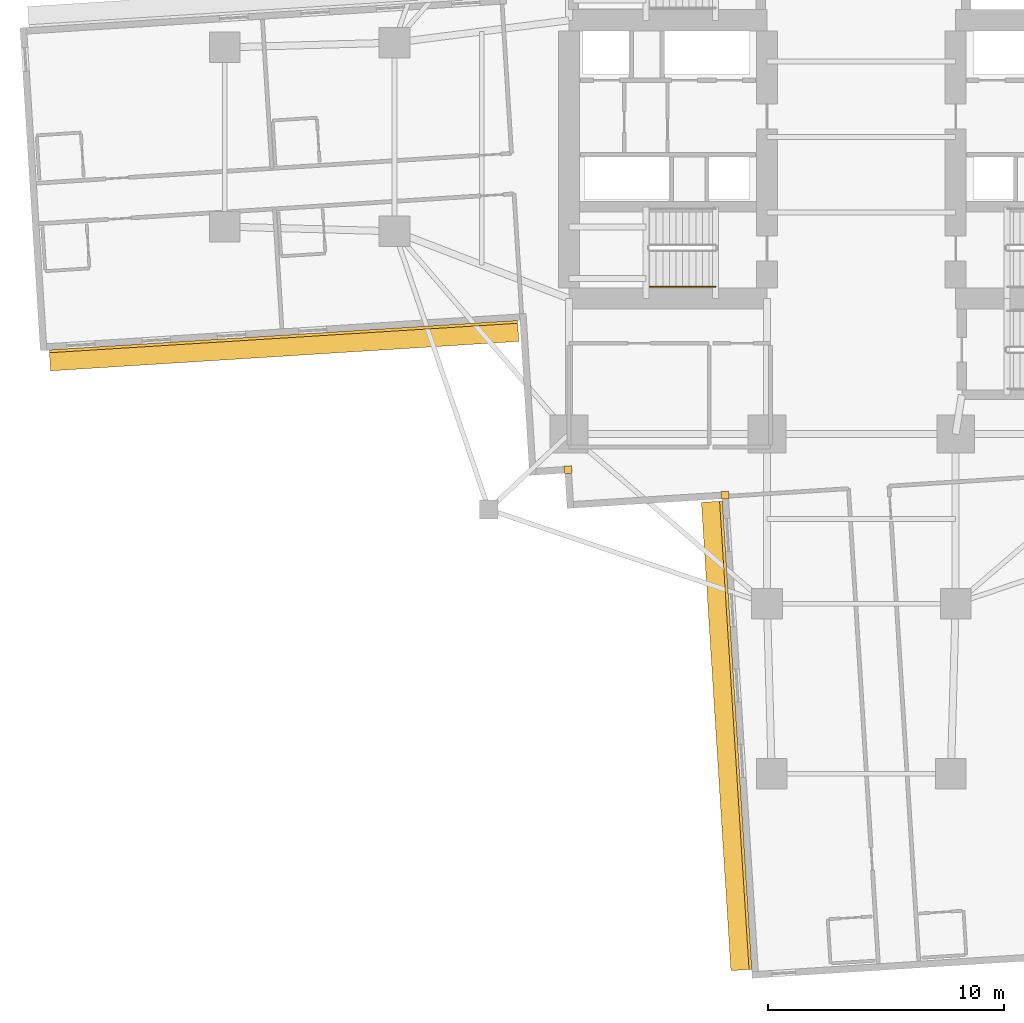
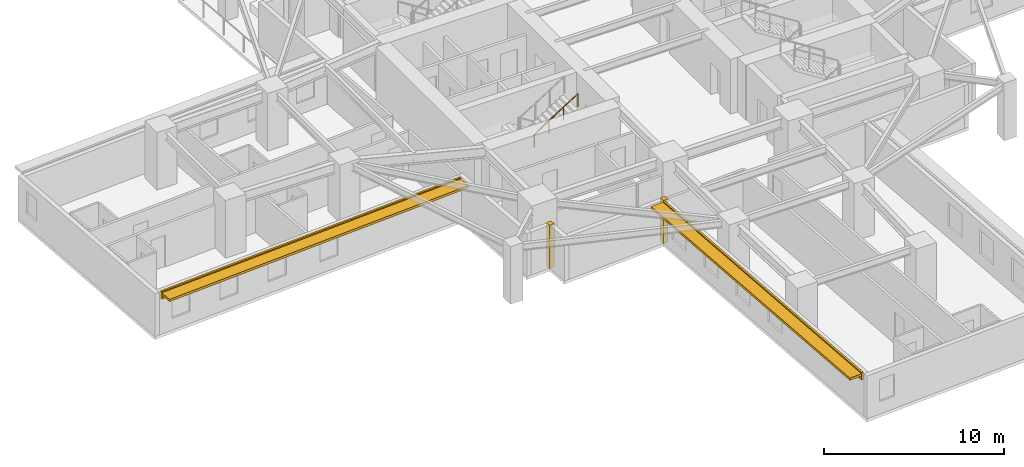
# One storey, part 10 of 14: 4 coverings, 2 shading devices, 1 railing.
"""IFC4 building model written with IfcOpenShell, lengths in metres."""

from ifc_helpers import new_model, si_unit, direction, frame, origin, origin_2d, place, context, subcontext, project, spatial, rectangle, circle, extrude, material, layer, layer_set, type_object, element, save


model = new_model("IFC4")

# Units and contexts
model_context = context("Model", 3, precision=1e-05, world=origin(), true_north=direction((0.0, 1.0)))
body_context = subcontext(model_context, "Body", "Model", "MODEL_VIEW")
ifc_project = project(units=[si_unit("LENGTHUNIT", "METRE"), si_unit("AREAUNIT", "SQUARE_METRE"), si_unit("VOLUMEUNIT", "CUBIC_METRE"), si_unit("PLANEANGLEUNIT", "RADIAN"), si_unit("MASSUNIT", "GRAM", prefix="KILO")], contexts=[model_context])

# Site, building, storey
site_placement = place(None, origin())
site = spatial("IfcSite", under=ifc_project, at=site_placement, CompositionType="ELEMENT")
building_placement = place(site_placement, origin())
building = spatial("IfcBuilding", under=site, at=building_placement, Name="Qingluan Cross Belvedere", CompositionType="ELEMENT")
storey_placement = place(building_placement, frame((0.0, 0.0, 39.300048828125)))
storey = spatial("IfcBuildingStorey", under=building, at=storey_placement, Name="L10", CompositionType="ELEMENT", Elevation=39.300048828125)

# Coverings
ifc_material_1 = material(Name="Precast concrete C45", Category="concrete")
ifc_layer_1 = layer(ifc_material_1, 0.1201171875, Name="ConcreteSpandrelCladding_120")
ifc_layer_set_1 = layer_set([ifc_layer_1], Name="Precast concrete C45")
covering_type = type_object("IfcCoveringType", Name="ConcreteSpandrelCladding_120", PredefinedType="CLADDING", material=ifc_layer_set_1)
for number, where, z_axis, x_axis, name in (
    (1, (-24.5068359375, -8.465576171875, 2.449951171875), (0.0, 0.0, 1.0), (0.998026688207, 0.062791158819, 0.0), "Spandrel cladding L10-WB"),
    (2, (-5.3271484375, -25.37451171875, 2.449951171875), (0.0, 0.0, 1.0), (0.062786203294, -0.998026999973, 0.0), "Spandrel cladding L10-SA"),
):
    element("IfcCovering", number, at=place(storey_placement, frame(where, z_axis=z_axis, x_axis=x_axis)), inside=storey, type_object=covering_type, Name=name, PredefinedType="CLADDING", context=body_context, shape_type="SweptSolid", body=[
        extrude(rectangle(XDim=19.89990234375, YDim=0.1201171875, at=origin_2d()), origin(), (0.0, 0.0, 1.0), 0.52001953125),
    ])
for number, where, z_axis, x_axis, name in (
    (3, (-12.438720703125, -14.10888671875, 0.0), (0.0, 0.0, 1.0), (0.998026728428, 0.062790519529, 0.0), "Corner closure L10-SW1"),
    (4, (-5.77734375, -15.192626953125, 0.0), (0.0, 0.0, 1.0), (0.998026728428, 0.062790519529, 0.0), "Corner closure L10-SW2"),
):
    element("IfcCovering", number, at=place(storey_placement, frame(where, z_axis=z_axis, x_axis=x_axis)), inside=storey, type_object=covering_type, Name=name, PredefinedType="CLADDING", context=body_context, shape_type="SweptSolid", body=[
        extrude(rectangle(XDim=0.320068359375, YDim=0.320068359375, at=origin_2d()), origin(), (0.0, 0.0, 1.0), 2.909912109375),
    ])

# Shading devices
ifc_material_2 = material(Name="Precast concrete C45", Category="concrete")
ifc_layer_2 = layer(ifc_material_2, 0.159912109375, Name="ConcreteSunshadeBand_900")
ifc_layer_set_2 = layer_set([ifc_layer_2], Name="Precast concrete C45")
shading_device_type = type_object("IfcShadingDeviceType", Name="ConcreteSunshadeBand_900", PredefinedType="USERDEFINED", material=ifc_layer_set_2)
for number, where, z_axis, x_axis, name in (
    (5, (-24.48291015625, -8.8447265625, 2.72998046875), (0.0, 0.0, 1.0), (0.998026688207, 0.062791158819, 0.0), "Concrete SUNSHADE L10-WB"),
    (6, (-5.70654296875, -25.3984375, 2.72998046875), (0.0, 0.0, 1.0), (0.062786203294, -0.998026999973, 0.0), "Concrete SUNSHADE L10-SA"),
):
    element("IfcShadingDevice", number, at=place(storey_placement, frame(where, z_axis=z_axis, x_axis=x_axis)), inside=storey, type_object=shading_device_type, Name=name, ObjectType="SUNSHADE", PredefinedType="USERDEFINED", context=body_context, shape_type="SweptSolid", body=[
        extrude(rectangle(XDim=19.89990234375, YDim=0.89990234375, at=origin_2d()), origin(), (0.0, 0.0, 1.0), 0.159912109375),
    ])

# Railing
ifc_material_3 = material(Name="Brushed stainless steel tubular handrail", Category="steel")
railing_type = type_object("IfcRailingType", Name="StairPitchHandrail_900", PredefinedType="HANDRAIL", material=ifc_material_3)
railing_placement = place(storey_placement, frame((-8.97998046875, -6.35009765625, 2.127197265625)))
element("IfcRailing", 7, at=railing_placement, inside=storey, type_object=railing_type, Name="L10 ST1 stair handrail 2", PredefinedType="HANDRAIL", context=body_context, shape_type="SweptSolid", body=[
    extrude(circle(Radius=0.02392578125, at=origin_2d()), frame((0.0, 0.0, 0.8759765625), z_axis=(0.844908973607, 0.0, 0.534910110503), x_axis=(0.0, 1.0, 0.0)), (0.0, 0.0, 1.0), 3.31396484375),
    extrude(circle(Radius=0.02099609375, at=origin_2d()), origin(), (0.0, 0.0, 1.0), 0.851806640625),
    extrude(circle(Radius=0.02099609375, at=origin_2d()), frame((0.933349609375, 0.0, 0.5908203125)), (0.0, 0.0, 1.0), 0.851806640625),
    extrude(circle(Radius=0.02099609375, at=origin_2d()), frame((1.86669921875, 0.0, 1.181884765625)), (0.0, 0.0, 1.0), 0.851806640625),
    extrude(circle(Radius=0.02099609375, at=origin_2d()), frame((2.800048828125, 0.0, 1.772705078125)), (0.0, 0.0, 1.0), 0.851806640625),
])

save(model, "model.ifc")
